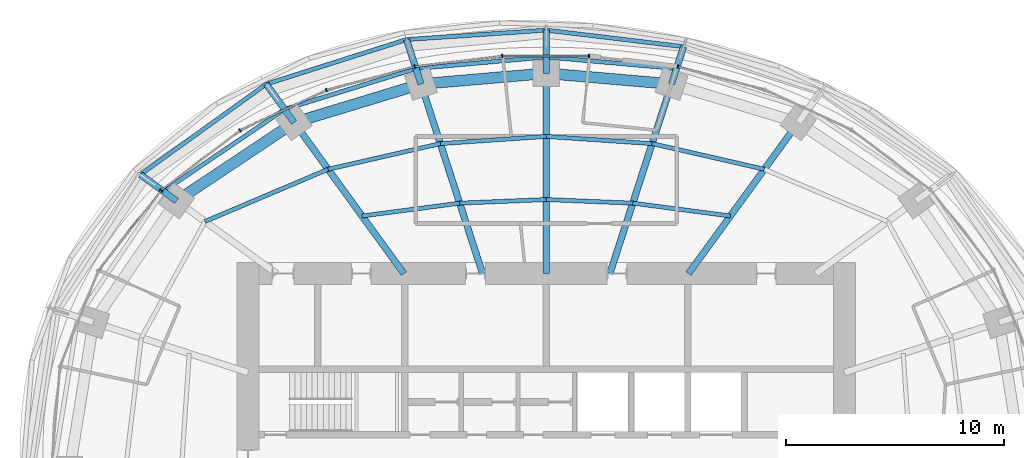
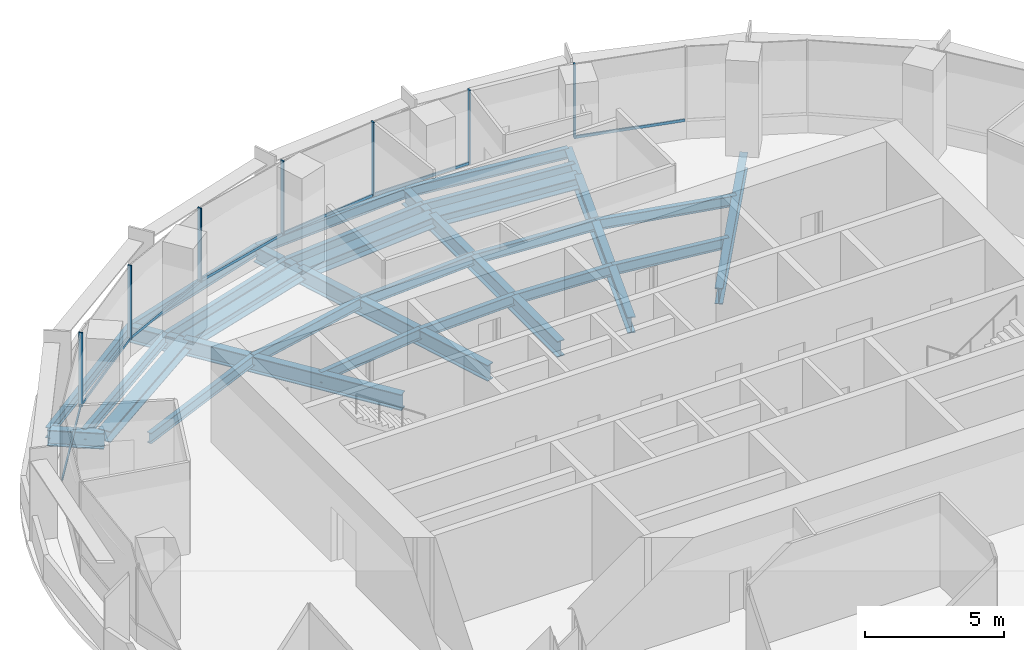
# One storey, part 7 of 15: 27 beams, 18 members, 3 elements without a shape of their own.
"""IFC4 building model written with IfcOpenShell, lengths in metres."""

from ifc_helpers import new_model, si_unit, direction, frame, origin, origin_2d, place, context, subcontext, project, spatial, rectangle, i_section, extrude, material, material_profile, profile_set, type_object, element, aggregate, save


model = new_model("IFC4")

# Units and contexts
model_context = context("Model", 3, precision=1e-05, world=origin(), true_north=direction((0.0, 1.0)))
body_context = subcontext(model_context, "Body", "Model", "MODEL_VIEW")
ifc_project = project(units=[si_unit("LENGTHUNIT", "METRE"), si_unit("AREAUNIT", "SQUARE_METRE"), si_unit("VOLUMEUNIT", "CUBIC_METRE"), si_unit("PLANEANGLEUNIT", "RADIAN"), si_unit("MASSUNIT", "GRAM", prefix="KILO")], contexts=[model_context])

# Site, building, storey
site_placement = place(None, origin())
site = spatial("IfcSite", under=ifc_project, at=site_placement, CompositionType="ELEMENT")
building_placement = place(site_placement, origin())
building = spatial("IfcBuilding", under=site, at=building_placement, Name="Marramba Exchange Tower", CompositionType="ELEMENT")
storey_placement = place(building_placement, frame((0.0, 0.0, 251.800048828125)))
storey = spatial("IfcBuildingStorey", under=building, at=storey_placement, Name="L61", CompositionType="ELEMENT", Elevation=251.800048828125)

# Members
ifc_material_1 = material(Name="Steel AS/NZS 3679.2 grade 300", Category="steel")
ifc_material_profile_1 = material_profile(ifc_material_1, i_section(OverallWidth=0.5, OverallDepth=0.48388671875, WebThickness=0.02490234375, FlangeThickness=0.031982421875, at=origin_2d()), Name="500WC340")
ifc_profile_set_1 = profile_set([ifc_material_profile_1], Name="Steel AS/NZS 3679.2 grade 300")
member_type_1 = type_object("IfcMemberType", Name="Belt truss chord 500WC340", PredefinedType="CHORD", material=ifc_profile_set_1)
for number, where, z_axis, x_axis, name in (
    (1, (5.75390625, 17.70849609375, -0.442138671875), (-0.996311003275, 0.085815993578, 0.0), (-0.085815993578, -0.996311003275, 0.0), "Belt chord L61 TC05-TC06"),
    (2, (0.0, 18.2041015625, -0.442138671875), (-0.996311003275, -0.085815993578, 0.0), (0.085815993578, -0.996311003275, 0.0), "Belt chord L61 TC06-TC07"),
):
    element("IfcMember", number, at=place(storey_placement, frame(where, z_axis=z_axis, x_axis=x_axis)), inside=storey, type_object=member_type_1, Name=name, PredefinedType="CHORD", context=body_context, shape_type="SweptSolid", body=[
        extrude(i_section(OverallWidth=0.5, OverallDepth=0.48388671875, WebThickness=0.02490234375, FlangeThickness=0.031982421875, at=origin_2d()), origin(), (0.0, 0.0, 1.0), 5.775146484375),
    ])
member_1_placement = place(storey_placement, frame((-5.75390625, 17.70849609375, -0.442138671875), z_axis=(-0.956924542524, -0.290336735387, 0.0), x_axis=(0.290336735387, -0.956924542524, 0.0)))
element("IfcMember", 3, at=member_1_placement, inside=storey, type_object=member_type_1, Name="Belt chord L61 TC07-TC08", PredefinedType="CHORD", context=body_context, shape_type="SweptSolid", body=[
    extrude(i_section(OverallWidth=0.5, OverallDepth=0.48388671875, WebThickness=0.02490234375, FlangeThickness=0.031982421875, at=origin_2d()), origin(), (0.0, 0.0, 1.0), 6.089599609375),
])
member_2_placement = place(storey_placement, frame((-11.581298828125, 15.9404296875, -0.442138671875), z_axis=(-0.832293151443, -0.554335737673, 0.0), x_axis=(0.554335737673, -0.832293151443, 0.0)))
element("IfcMember", 4, at=member_2_placement, inside=storey, type_object=member_type_1, Name="Belt chord L61 TC08-TC09", PredefinedType="CHORD", context=body_context, shape_type="SweptSolid", body=[
    extrude(i_section(OverallWidth=0.5, OverallDepth=0.48388671875, WebThickness=0.02490234375, FlangeThickness=0.031982421875, at=origin_2d()), origin(), (0.0, 0.0, 1.0), 6.49365234375),
])

# Beams
ifc_material_profile_2 = material_profile(ifc_material_1, i_section(OverallWidth=0.300048828125, OverallDepth=0.699951171875, WebThickness=0.010009765625, FlangeThickness=0.031982421875, at=origin_2d()), Name="700WB173")
ifc_profile_set_2 = profile_set([ifc_material_profile_2], Name="Steel AS/NZS 3679.2 grade 300")
beam_type_1 = type_object("IfcBeamType", Name="Cantilever girder 700WB173", PredefinedType="BEAM", material=ifc_profile_set_2)
beam_1_placement = place(storey_placement, frame((5.75390625, 17.70849609375, -0.60009765625), z_axis=(0.308960771946, 0.951074782232, 0.0), x_axis=(-0.951074782232, 0.308960771946, 0.0)))
element("IfcBeam", 5, at=beam_1_placement, inside=storey, type_object=beam_type_1, Name="Cantilever girder L61 TC05", PredefinedType="BEAM", context=body_context, shape_type="SweptSolid", body=[
    extrude(i_section(OverallWidth=0.300048828125, OverallDepth=0.699951171875, WebThickness=0.010009765625, FlangeThickness=0.031982421875, at=origin_2d()), origin(), (0.0, 0.0, 1.0), 1.806396484375),
])
beam_2_placement = place(storey_placement, frame((0.0, 18.2041015625, -0.60009765625), z_axis=(0.0, 1.0, 0.0), x_axis=(-1.0, 0.0, 0.0)))
element("IfcBeam", 6, at=beam_2_placement, inside=storey, type_object=beam_type_1, Name="Cantilever girder L61 TC06", PredefinedType="BEAM", context=body_context, shape_type="SweptSolid", body=[
    extrude(i_section(OverallWidth=0.300048828125, OverallDepth=0.699951171875, WebThickness=0.010009765625, FlangeThickness=0.031982421875, at=origin_2d()), origin(), (0.0, 0.0, 1.0), 1.982177734375),
])
beam_3_placement = place(storey_placement, frame((-5.75390625, 17.70849609375, -0.60009765625), z_axis=(-0.308998798068, 0.951062428441, 0.0), x_axis=(-0.951062428441, -0.308998798068, 0.0)))
element("IfcBeam", 7, at=beam_3_placement, inside=storey, type_object=beam_type_1, Name="Cantilever girder L61 TC07", PredefinedType="BEAM", context=body_context, shape_type="SweptSolid", body=[
    extrude(i_section(OverallWidth=0.300048828125, OverallDepth=0.699951171875, WebThickness=0.010009765625, FlangeThickness=0.031982421875, at=origin_2d()), origin(), (0.0, 0.0, 1.0), 2.150634765625),
])
beam_4_placement = place(storey_placement, frame((-11.581298828125, 15.9404296875, -0.60009765625), z_axis=(-0.587832433352, 0.808982713226, 0.0), x_axis=(-0.808982713226, -0.587832433352, 0.0)))
element("IfcBeam", 8, at=beam_4_placement, inside=storey, type_object=beam_type_1, Name="Cantilever girder L61 TC08", PredefinedType="BEAM", context=body_context, shape_type="SweptSolid", body=[
    extrude(i_section(OverallWidth=0.300048828125, OverallDepth=0.699951171875, WebThickness=0.010009765625, FlangeThickness=0.031982421875, at=origin_2d()), origin(), (0.0, 0.0, 1.0), 2.1826171875),
])
beam_5_placement = place(storey_placement, frame((-16.98583984375, 12.3408203125, -0.60009765625), z_axis=(-0.808962446125, 0.587860324192, 0.0), x_axis=(-0.587860324192, -0.808962446125, 0.0)))
element("IfcBeam", 9, at=beam_5_placement, inside=storey, type_object=beam_type_1, Name="Cantilever girder L61 TC09", PredefinedType="BEAM", context=body_context, shape_type="SweptSolid", body=[
    extrude(i_section(OverallWidth=0.300048828125, OverallDepth=0.699951171875, WebThickness=0.010009765625, FlangeThickness=0.031982421875, at=origin_2d()), origin(), (0.0, 0.0, 1.0), 2.051513671875),
])

# Curtain wall, member
ifc_material_2 = material(Name="Aluminium framing, bronze anodised", Category="aluminium")
curtain_wall_type = type_object("IfcCurtainWallType", Name="Executive floor ribbon curtain wall", PredefinedType="USERDEFINED", material=ifc_material_2)
curtain_wall_1_placement = place(storey_placement, origin())
curtain_wall_1 = element("IfcCurtainWall", 10, at=curtain_wall_1_placement, inside=storey, type_object=curtain_wall_type, Name="Curtain wall CW5 L61 F06", ObjectType="RIBBON CURTAIN WALL", PredefinedType="USERDEFINED")
ifc_material_3 = material(Name="Aluminium mullion, bronze anodised", Category="aluminium")
ifc_material_profile_3 = material_profile(ifc_material_3, rectangle(XDim=0.159912109375, YDim=0.06005859375, at=origin_2d()), Name="CW5 mullion 60x160")
ifc_profile_set_3 = profile_set([ifc_material_profile_3], Name="Aluminium mullion, bronze anodised")
member_type_2 = type_object("IfcMemberType", Name="Executive floor ribbon curtain wall mullion", PredefinedType="MULLION", material=ifc_profile_set_3)
member_3_placement = place(storey_placement, frame((6.045654296875, 18.50927734375, 0.800048828125), z_axis=(0.0, 0.0, 1.0), x_axis=(-0.256125574813, -0.966643517501, 0.0)))
member_3 = element("IfcMember", 11, at=member_3_placement, type_object=member_type_2, Name="CW5 mullion 2", PredefinedType="MULLION", context=body_context, shape_type="SweptSolid", body=[
    extrude(rectangle(XDim=0.159912109375, YDim=0.06005859375, at=origin_2d()), origin(), (0.0, 0.0, 1.0), 3.239990234375),
])

# Curtain wall, members
curtain_wall_2_placement = place(storey_placement, origin())
curtain_wall_2 = element("IfcCurtainWall", 12, at=curtain_wall_2_placement, inside=storey, type_object=curtain_wall_type, Name="Curtain wall CW5 L61 F08-F10", ObjectType="RIBBON CURTAIN WALL", PredefinedType="USERDEFINED")
member_4_placement = place(storey_placement, frame((1.966552734375, 18.9970703125, 0.800048828125), z_axis=(0.0, 0.0, 1.0), x_axis=(0.0, -1.0, 0.0)))
member_4 = element("IfcMember", 13, at=member_4_placement, type_object=member_type_2, Name="CW5 mullion 1", PredefinedType="MULLION", context=body_context, shape_type="SweptSolid", body=[
    extrude(rectangle(XDim=0.159912109375, YDim=0.06005859375, at=origin_2d()), origin(), (0.0, 0.0, 1.0), 3.239990234375),
])
member_5_placement = place(storey_placement, frame((-2.0263671875, 18.993408203125, 0.800048828125), z_axis=(0.0, 0.0, 1.0), x_axis=(0.118556954505, -0.992947253654, 0.0)))
member_5 = element("IfcMember", 14, at=member_5_placement, type_object=member_type_2, Name="CW5 mullion 1", PredefinedType="MULLION", context=body_context, shape_type="SweptSolid", body=[
    extrude(rectangle(XDim=0.159912109375, YDim=0.06005859375, at=origin_2d()), origin(), (0.0, 0.0, 1.0), 3.239990234375),
])
member_6_placement = place(storey_placement, frame((-6.045654296875, 18.50927734375, 0.800048828125), z_axis=(0.0, 0.0, 1.0), x_axis=(0.256125574813, -0.966643517501, 0.0)))
member_6 = element("IfcMember", 15, at=member_6_placement, type_object=member_type_2, Name="CW5 mullion 1", PredefinedType="MULLION", context=body_context, shape_type="SweptSolid", body=[
    extrude(rectangle(XDim=0.159912109375, YDim=0.06005859375, at=origin_2d()), origin(), (0.0, 0.0, 1.0), 3.239990234375),
])

curtain_wall_3_placement = place(storey_placement, origin())
curtain_wall_3 = element("IfcCurtainWall", 16, at=curtain_wall_3_placement, inside=storey, type_object=curtain_wall_type, Name="Curtain wall CW5 L61 F11-F15", ObjectType="RIBBON CURTAIN WALL", PredefinedType="USERDEFINED")
member_7_placement = place(storey_placement, frame((-10.097900390625, 17.43017578125, 0.800048828125), z_axis=(0.0, 0.0, 1.0), x_axis=(0.420849274712, -0.90713057934, 0.0)))
member_7 = element("IfcMember", 17, at=member_7_placement, type_object=member_type_2, Name="CW5 mullion 1", PredefinedType="MULLION", context=body_context, shape_type="SweptSolid", body=[
    extrude(rectangle(XDim=0.159912109375, YDim=0.06005859375, at=origin_2d()), origin(), (0.0, 0.0, 1.0), 3.239990234375),
])
member_8_placement = place(storey_placement, frame((-14.069091796875, 15.58056640625, 0.800048828125), z_axis=(0.0, 0.0, 1.0), x_axis=(0.605219156516, -0.796058900199, 0.0)))
member_8 = element("IfcMember", 18, at=member_8_placement, type_object=member_type_2, Name="CW5 mullion 1", PredefinedType="MULLION", context=body_context, shape_type="SweptSolid", body=[
    extrude(rectangle(XDim=0.159912109375, YDim=0.06005859375, at=origin_2d()), origin(), (0.0, 0.0, 1.0), 3.239990234375),
])
member_9_placement = place(storey_placement, frame((-17.69189453125, 12.81689453125, 0.800048828125), z_axis=(0.0, 0.0, 1.0), x_axis=(0.786002861604, -0.618222857512, 0.0)))
member_9 = element("IfcMember", 19, at=member_9_placement, type_object=member_type_2, Name="CW5 mullion 1", PredefinedType="MULLION", context=body_context, shape_type="SweptSolid", body=[
    extrude(rectangle(XDim=0.159912109375, YDim=0.06005859375, at=origin_2d()), origin(), (0.0, 0.0, 1.0), 3.239990234375),
])

# Member
ifc_material_4 = material(Name="Aluminium transom, bronze anodised", Category="aluminium")
ifc_material_profile_4 = material_profile(ifc_material_4, rectangle(XDim=0.06005859375, YDim=0.1201171875, at=origin_2d()), Name="CW5 transom 60x120")
ifc_profile_set_4 = profile_set([ifc_material_profile_4], Name="Aluminium transom, bronze anodised")
member_type_3 = type_object("IfcMemberType", Name="Executive floor ribbon curtain wall transom", PredefinedType="USERDEFINED", material=ifc_profile_set_4)
member_10_placement = place(storey_placement, frame((10.0126953125, 17.458251953125, 0.829833984375), z_axis=(-0.966645470592, 0.25611820354, 0.0), x_axis=(-0.25611820354, -0.966645470592, 0.0)))
member_10 = element("IfcMember", 20, at=member_10_placement, type_object=member_type_3, Name="CW5 sill transom", ObjectType="TRANSOM", PredefinedType="USERDEFINED", context=body_context, shape_type="SweptSolid", body=[
    extrude(rectangle(XDim=0.06005859375, YDim=0.1201171875, at=origin_2d()), origin(), (0.0, 0.0, 1.0), 4.07421875),
])

aggregate(curtain_wall_1, [member_3, member_10])

member_11_placement = place(storey_placement, frame((1.936767578125, 18.9970703125, 0.829833984375), z_axis=(-1.0, 0.0, 0.0), x_axis=(0.0, -1.0, 0.0)))
member_11 = element("IfcMember", 21, at=member_11_placement, type_object=member_type_3, Name="CW5 sill transom", ObjectType="TRANSOM", PredefinedType="USERDEFINED", context=body_context, shape_type="SweptSolid", body=[
    extrude(rectangle(XDim=0.06005859375, YDim=0.1201171875, at=origin_2d()), origin(), (0.0, 0.0, 1.0), 3.933349609375),
])

member_12_placement = place(storey_placement, frame((-2.05615234375, 18.98974609375, 0.829833984375), z_axis=(-0.992953674799, -0.11850316326, 0.0), x_axis=(0.11850316326, -0.992953674799, 0.0)))
member_12 = element("IfcMember", 22, at=member_12_placement, type_object=member_type_3, Name="CW5 sill transom", ObjectType="TRANSOM", PredefinedType="USERDEFINED", context=body_context, shape_type="SweptSolid", body=[
    extrude(rectangle(XDim=0.06005859375, YDim=0.1201171875, at=origin_2d()), origin(), (0.0, 0.0, 1.0), 3.988525390625),
])

member_13_placement = place(storey_placement, frame((-6.074462890625, 18.501708984375, 0.829833984375), z_axis=(-0.966642465832, -0.256129543885, 0.0), x_axis=(0.256129543885, -0.966642465832, 0.0)))
member_13 = element("IfcMember", 23, at=member_13_placement, type_object=member_type_3, Name="CW5 sill transom", ObjectType="TRANSOM", PredefinedType="USERDEFINED", context=body_context, shape_type="SweptSolid", body=[
    extrude(rectangle(XDim=0.06005859375, YDim=0.1201171875, at=origin_2d()), origin(), (0.0, 0.0, 1.0), 4.134033203125),
])

aggregate(curtain_wall_2, [member_4, member_11, member_5, member_12, member_6, member_13])

member_14_placement = place(storey_placement, frame((-10.125, 17.41748046875, 0.829833984375), z_axis=(-0.907139165053, -0.420830767919, 0.0), x_axis=(0.420830767919, -0.907139165053, 0.0)))
member_14 = element("IfcMember", 24, at=member_14_placement, type_object=member_type_3, Name="CW5 sill transom", ObjectType="TRANSOM", PredefinedType="USERDEFINED", context=body_context, shape_type="SweptSolid", body=[
    extrude(rectangle(XDim=0.06005859375, YDim=0.1201171875, at=origin_2d()), origin(), (0.0, 0.0, 1.0), 4.321533203125),
])

member_15_placement = place(storey_placement, frame((-14.093017578125, 15.5625, 0.829833984375), z_axis=(-0.796068041642, -0.605207132374, 0.0), x_axis=(0.605207132374, -0.796068041642, 0.0)))
member_15 = element("IfcMember", 25, at=member_15_placement, type_object=member_type_3, Name="CW5 sill transom", ObjectType="TRANSOM", PredefinedType="USERDEFINED", context=body_context, shape_type="SweptSolid", body=[
    extrude(rectangle(XDim=0.06005859375, YDim=0.1201171875, at=origin_2d()), origin(), (0.0, 0.0, 1.0), 4.49755859375),
])

member_16_placement = place(storey_placement, frame((-17.71044921875, 12.793212890625, 0.829833984375), z_axis=(-0.618229471001, -0.785997659784, 0.0), x_axis=(0.785997659784, -0.618229471001, 0.0)))
member_16 = element("IfcMember", 26, at=member_16_placement, type_object=member_type_3, Name="CW5 sill transom", ObjectType="TRANSOM", PredefinedType="USERDEFINED", context=body_context, shape_type="SweptSolid", body=[
    extrude(rectangle(XDim=0.06005859375, YDim=0.1201171875, at=origin_2d()), origin(), (0.0, 0.0, 1.0), 4.624755859375),
])

aggregate(curtain_wall_3, [member_7, member_14, member_8, member_15, member_9, member_16])

# Beams
ifc_material_5 = material(Name="Steel AS/NZS 3679.1 grade 300", Category="steel")
ifc_material_profile_5 = material_profile(ifc_material_5, i_section(OverallWidth=0.19091796875, OverallDepth=0.4599609375, WebThickness=0.010009765625, FlangeThickness=0.01611328125, FilletRadius=0.011474609375, at=origin_2d()), Name="460UB82.1")
ifc_profile_set_5 = profile_set([ifc_material_profile_5], Name="Steel AS/NZS 3679.1 grade 300")
beam_type_2 = type_object("IfcBeamType", Name="Floor joist 460UB82.1", PredefinedType="JOIST", material=ifc_profile_set_5)
beam_6_placement = place(storey_placement, frame((8.4619140625, 11.646728515625, -0.429931640625), z_axis=(-0.991480538255, 0.130254912618, 0.0), x_axis=(-0.130254912618, -0.991480538255, 0.0)))
element("IfcBeam", 27, at=beam_6_placement, inside=storey, type_object=beam_type_2, Name="Joist L61 bay 04 row 1", PredefinedType="JOIST", context=body_context, shape_type="SweptSolid", body=[
    extrude(i_section(OverallWidth=0.19091796875, OverallDepth=0.4599609375, WebThickness=0.010009765625, FlangeThickness=0.01611328125, FilletRadius=0.011474609375, at=origin_2d()), origin(), (0.0, 0.0, 1.0), 4.524658203125),
])
beam_7_placement = place(storey_placement, frame((10.021728515625, 13.793701171875, -0.429931640625), z_axis=(-0.974859652292, 0.222819788916, 0.0), x_axis=(-0.222819788916, -0.974859652292, 0.0)))
element("IfcBeam", 28, at=beam_7_placement, inside=storey, type_object=beam_type_2, Name="Joist L61 bay 04 row 2", PredefinedType="JOIST", context=body_context, shape_type="SweptSolid", body=[
    extrude(i_section(OverallWidth=0.19091796875, OverallDepth=0.4599609375, WebThickness=0.010009765625, FlangeThickness=0.01611328125, FilletRadius=0.011474609375, at=origin_2d()), origin(), (0.0, 0.0, 1.0), 5.2900390625),
])
beam_8_placement = place(storey_placement, frame((3.975830078125, 12.236083984375, -0.429931640625), z_axis=(-0.999137002892, 0.041536122257, 0.0), x_axis=(-0.041536122257, -0.999137002892, 0.0)))
element("IfcBeam", 29, at=beam_8_placement, inside=storey, type_object=beam_type_2, Name="Joist L61 bay 05 row 1", PredefinedType="JOIST", context=body_context, shape_type="SweptSolid", body=[
    extrude(i_section(OverallWidth=0.19091796875, OverallDepth=0.4599609375, WebThickness=0.010009765625, FlangeThickness=0.01611328125, FilletRadius=0.011474609375, at=origin_2d()), origin(), (0.0, 0.0, 1.0), 3.979248046875),
])
beam_9_placement = place(storey_placement, frame((4.86474609375, 14.972412109375, -0.429931640625), z_axis=(-0.997702652202, 0.067745241816, 0.0), x_axis=(-0.067745241816, -0.997702652202, 0.0)))
element("IfcBeam", 30, at=beam_9_placement, inside=storey, type_object=beam_type_2, Name="Joist L61 bay 05 row 2", PredefinedType="JOIST", context=body_context, shape_type="SweptSolid", body=[
    extrude(i_section(OverallWidth=0.19091796875, OverallDepth=0.4599609375, WebThickness=0.010009765625, FlangeThickness=0.01611328125, FilletRadius=0.011474609375, at=origin_2d()), origin(), (0.0, 0.0, 1.0), 4.8759765625),
])
beam_10_placement = place(storey_placement, frame((0.0, 12.4013671875, -0.429931640625), z_axis=(-0.999137002892, -0.041536122257, 0.0), x_axis=(0.041536122257, -0.999137002892, 0.0)))
element("IfcBeam", 31, at=beam_10_placement, inside=storey, type_object=beam_type_2, Name="Joist L61 bay 06 row 1", PredefinedType="JOIST", context=body_context, shape_type="SweptSolid", body=[
    extrude(i_section(OverallWidth=0.19091796875, OverallDepth=0.4599609375, WebThickness=0.010009765625, FlangeThickness=0.01611328125, FilletRadius=0.011474609375, at=origin_2d()), origin(), (0.0, 0.0, 1.0), 3.979248046875),
])
beam_11_placement = place(storey_placement, frame((0.0, 15.302734375, -0.429931640625), z_axis=(-0.997702652202, -0.067745241816, 0.0), x_axis=(0.067745241816, -0.997702652202, 0.0)))
element("IfcBeam", 32, at=beam_11_placement, inside=storey, type_object=beam_type_2, Name="Joist L61 bay 06 row 2", PredefinedType="JOIST", context=body_context, shape_type="SweptSolid", body=[
    extrude(i_section(OverallWidth=0.19091796875, OverallDepth=0.4599609375, WebThickness=0.010009765625, FlangeThickness=0.01611328125, FilletRadius=0.011474609375, at=origin_2d()), origin(), (0.0, 0.0, 1.0), 4.8759765625),
])
beam_12_placement = place(storey_placement, frame((-3.975830078125, 12.236083984375, -0.429931640625), z_axis=(-0.991480538255, -0.130254912618, 0.0), x_axis=(0.130254912618, -0.991480538255, 0.0)))
element("IfcBeam", 33, at=beam_12_placement, inside=storey, type_object=beam_type_2, Name="Joist L61 bay 07 row 1", PredefinedType="JOIST", context=body_context, shape_type="SweptSolid", body=[
    extrude(i_section(OverallWidth=0.19091796875, OverallDepth=0.4599609375, WebThickness=0.010009765625, FlangeThickness=0.01611328125, FilletRadius=0.011474609375, at=origin_2d()), origin(), (0.0, 0.0, 1.0), 4.524658203125),
])
beam_13_placement = place(storey_placement, frame((-4.86474609375, 14.972412109375, -0.429931640625), z_axis=(-0.974859652292, -0.222819788916, 0.0), x_axis=(0.222819788916, -0.974859652292, 0.0)))
element("IfcBeam", 34, at=beam_13_placement, inside=storey, type_object=beam_type_2, Name="Joist L61 bay 07 row 2", PredefinedType="JOIST", context=body_context, shape_type="SweptSolid", body=[
    extrude(i_section(OverallWidth=0.19091796875, OverallDepth=0.4599609375, WebThickness=0.010009765625, FlangeThickness=0.01611328125, FilletRadius=0.011474609375, at=origin_2d()), origin(), (0.0, 0.0, 1.0), 5.2900390625),
])
beam_14_placement = place(storey_placement, frame((-10.021728515625, 13.793701171875, -0.429931640625), z_axis=(-0.920674336375, -0.390331610738, 0.0), x_axis=(0.390331610738, -0.920674336375, 0.0)))
element("IfcBeam", 35, at=beam_14_placement, inside=storey, type_object=beam_type_2, Name="Joist L61 bay 08 row 2", PredefinedType="JOIST", context=body_context, shape_type="SweptSolid", body=[
    extrude(i_section(OverallWidth=0.19091796875, OverallDepth=0.4599609375, WebThickness=0.010009765625, FlangeThickness=0.01611328125, FilletRadius=0.011474609375, at=origin_2d()), origin(), (0.0, 0.0, 1.0), 6.1484375),
])
ifc_material_profile_6 = material_profile(ifc_material_1, i_section(OverallWidth=0.300048828125, OverallDepth=0.699951171875, WebThickness=0.010009765625, FlangeThickness=0.031982421875, at=origin_2d()), Name="700WB173")
ifc_profile_set_6 = profile_set([ifc_material_profile_6], Name="Steel AS/NZS 3679.2 grade 300")
beam_type_3 = type_object("IfcBeamType", Name="Radial girder 700WB173", PredefinedType="BEAM", material=ifc_profile_set_6)
beam_15_placement = place(storey_placement, frame((6.538818359375, 9.0, -0.550048828125), z_axis=(0.587782439969, 0.80901903764, 0.0), x_axis=(-0.80901903764, 0.587782439969, 0.0)))
element("IfcBeam", 36, at=beam_15_placement, inside=storey, type_object=beam_type_3, Name="Radial girder L61 TC04", PredefinedType="BEAM", context=body_context, shape_type="SweptSolid", body=[
    extrude(i_section(OverallWidth=0.300048828125, OverallDepth=0.699951171875, WebThickness=0.010009765625, FlangeThickness=0.031982421875, at=origin_2d()), origin(), (0.0, 0.0, 1.0), 8.578857421875),
])
beam_16_placement = place(storey_placement, frame((2.92431640625, 9.0, -0.550048828125), z_axis=(0.309019754162, 0.951055619582, 0.0), x_axis=(-0.951055619582, 0.309019754162, 0.0)))
element("IfcBeam", 37, at=beam_16_placement, inside=storey, type_object=beam_type_3, Name="Radial girder L61 TC05", PredefinedType="BEAM", context=body_context, shape_type="SweptSolid", body=[
    extrude(i_section(OverallWidth=0.300048828125, OverallDepth=0.699951171875, WebThickness=0.010009765625, FlangeThickness=0.031982421875, at=origin_2d()), origin(), (0.0, 0.0, 1.0), 9.15673828125),
])
beam_17_placement = place(storey_placement, frame((0.0, 9.0, -0.550048828125), z_axis=(0.0, 1.0, 0.0), x_axis=(-1.0, 0.0, 0.0)))
element("IfcBeam", 38, at=beam_17_placement, inside=storey, type_object=beam_type_3, Name="Radial girder L61 TC06", PredefinedType="BEAM", context=body_context, shape_type="SweptSolid", body=[
    extrude(i_section(OverallWidth=0.300048828125, OverallDepth=0.699951171875, WebThickness=0.010009765625, FlangeThickness=0.031982421875, at=origin_2d()), origin(), (0.0, 0.0, 1.0), 9.2041015625),
])
beam_18_placement = place(storey_placement, frame((-2.92431640625, 9.0, -0.550048828125), z_axis=(-0.309019754162, 0.951055619582, 0.0), x_axis=(-0.951055619582, -0.309019754162, 0.0)))
element("IfcBeam", 39, at=beam_18_placement, inside=storey, type_object=beam_type_3, Name="Radial girder L61 TC07", PredefinedType="BEAM", context=body_context, shape_type="SweptSolid", body=[
    extrude(i_section(OverallWidth=0.300048828125, OverallDepth=0.699951171875, WebThickness=0.010009765625, FlangeThickness=0.031982421875, at=origin_2d()), origin(), (0.0, 0.0, 1.0), 9.15673828125),
])
beam_19_placement = place(storey_placement, frame((-6.538818359375, 9.0, -0.550048828125), z_axis=(-0.587782439969, 0.80901903764, 0.0), x_axis=(-0.80901903764, -0.587782439969, 0.0)))
element("IfcBeam", 40, at=beam_19_placement, inside=storey, type_object=beam_type_3, Name="Radial girder L61 TC08", PredefinedType="BEAM", context=body_context, shape_type="SweptSolid", body=[
    extrude(i_section(OverallWidth=0.300048828125, OverallDepth=0.699951171875, WebThickness=0.010009765625, FlangeThickness=0.031982421875, at=origin_2d()), origin(), (0.0, 0.0, 1.0), 8.578857421875),
])
ifc_material_profile_7 = material_profile(ifc_material_5, i_section(OverallWidth=0.19091796875, OverallDepth=0.4599609375, WebThickness=0.010009765625, FlangeThickness=0.01611328125, FilletRadius=0.011474609375, at=origin_2d()), Name="460UB82.1")
ifc_profile_set_7 = profile_set([ifc_material_profile_7], Name="Steel AS/NZS 3679.1 grade 300")
beam_type_4 = type_object("IfcBeamType", Name="Slab edge beam 460UB82.1", PredefinedType="SPANDREL", material=ifc_profile_set_7)
beam_20_placement = place(storey_placement, frame((6.31201171875, 19.426513671875, -0.47998046875), z_axis=(-0.992833525914, 0.119505605811, 0.0), x_axis=(-0.119505605811, -0.992833525914, 0.0)))
element("IfcBeam", 41, at=beam_20_placement, inside=storey, type_object=beam_type_4, Name="Setback roof edge beam L61 TC05-TC06", PredefinedType="SPANDREL", context=body_context, shape_type="SweptSolid", body=[
    extrude(i_section(OverallWidth=0.19091796875, OverallDepth=0.4599609375, WebThickness=0.010009765625, FlangeThickness=0.01611328125, FilletRadius=0.011474609375, at=origin_2d()), origin(), (0.0, 0.0, 1.0), 6.357666015625),
])
beam_21_placement = place(storey_placement, frame((0.0, 20.186279296875, -0.47998046875), z_axis=(-0.997738737775, -0.06721168903, 0.0), x_axis=(0.06721168903, -0.997738737775, 0.0)))
element("IfcBeam", 42, at=beam_21_placement, inside=storey, type_object=beam_type_4, Name="Setback roof edge beam L61 TC06-TC07", PredefinedType="SPANDREL", context=body_context, shape_type="SweptSolid", body=[
    extrude(i_section(OverallWidth=0.19091796875, OverallDepth=0.4599609375, WebThickness=0.010009765625, FlangeThickness=0.01611328125, FilletRadius=0.011474609375, at=origin_2d()), origin(), (0.0, 0.0, 1.0), 6.43310546875),
])
beam_22_placement = place(storey_placement, frame((-6.41845703125, 19.75390625, -0.47998046875), z_axis=(-0.953057484675, -0.302789416766, 0.0), x_axis=(0.302789416766, -0.953057484675, 0.0)))
element("IfcBeam", 43, at=beam_22_placement, inside=storey, type_object=beam_type_4, Name="Setback roof edge beam L61 TC07-TC08", PredefinedType="SPANDREL", context=body_context, shape_type="SweptSolid", body=[
    extrude(i_section(OverallWidth=0.19091796875, OverallDepth=0.4599609375, WebThickness=0.010009765625, FlangeThickness=0.01611328125, FilletRadius=0.011474609375, at=origin_2d()), origin(), (0.0, 0.0, 1.0), 6.76318359375),
])
beam_23_placement = place(storey_placement, frame((-12.8642578125, 17.7060546875, -0.47998046875), z_axis=(-0.811755352788, -0.583997643163, 0.0), x_axis=(0.583997643163, -0.811755352788, 0.0)))
element("IfcBeam", 44, at=beam_23_placement, inside=storey, type_object=beam_type_4, Name="Setback roof edge beam L61 TC08-TC09", PredefinedType="SPANDREL", context=body_context, shape_type="SweptSolid", body=[
    extrude(i_section(OverallWidth=0.19091796875, OverallDepth=0.4599609375, WebThickness=0.010009765625, FlangeThickness=0.01611328125, FilletRadius=0.011474609375, at=origin_2d()), origin(), (0.0, 0.0, 1.0), 7.121826171875),
])
for number, where, z_axis, x_axis, name in (
    (45, (5.985595703125, 18.421875, -0.429931640625), (-0.996070092338, 0.088568454595, 0.0), (-0.088568454595, -0.996070092338, 0.0), "Slab edge beam L61 TC05-TC06"),
    (46, (0.0, 18.9541015625, -0.429931640625), (-0.996070092338, -0.088568454595, 0.0), (0.088568454595, -0.996070092338, 0.0), "Slab edge beam L61 TC06-TC07"),
):
    element("IfcBeam", number, at=place(storey_placement, frame(where, z_axis=z_axis, x_axis=x_axis)), inside=storey, type_object=beam_type_4, Name=name, PredefinedType="SPANDREL", context=body_context, shape_type="SweptSolid", body=[
        extrude(i_section(OverallWidth=0.19091796875, OverallDepth=0.4599609375, WebThickness=0.010009765625, FlangeThickness=0.01611328125, FilletRadius=0.011474609375, at=origin_2d()), origin(), (0.0, 0.0, 1.0), 6.00927734375),
    ])
beam_24_placement = place(storey_placement, frame((-5.985595703125, 18.421875, -0.429931640625), z_axis=(-0.95500492577, -0.296589938728, 0.0), x_axis=(0.296589938728, -0.95500492577, 0.0)))
element("IfcBeam", 47, at=beam_24_placement, inside=storey, type_object=beam_type_4, Name="Slab edge beam L61 TC07-TC08", PredefinedType="SPANDREL", context=body_context, shape_type="SweptSolid", body=[
    extrude(i_section(OverallWidth=0.19091796875, OverallDepth=0.4599609375, WebThickness=0.010009765625, FlangeThickness=0.01611328125, FilletRadius=0.011474609375, at=origin_2d()), origin(), (0.0, 0.0, 1.0), 6.321044921875),
])
beam_25_placement = place(storey_placement, frame((-12.022216796875, 16.547119140625, -0.429931640625), z_axis=(-0.828474682464, -0.560026517691, 0.0), x_axis=(0.560026517691, -0.828474682464, 0.0)))
element("IfcBeam", 48, at=beam_25_placement, inside=storey, type_object=beam_type_4, Name="Slab edge beam L61 TC08-TC09", PredefinedType="SPANDREL", context=body_context, shape_type="SweptSolid", body=[
    extrude(i_section(OverallWidth=0.19091796875, OverallDepth=0.4599609375, WebThickness=0.010009765625, FlangeThickness=0.01611328125, FilletRadius=0.011474609375, at=origin_2d()), origin(), (0.0, 0.0, 1.0), 6.7236328125),
])

save(model, "model.ifc")
